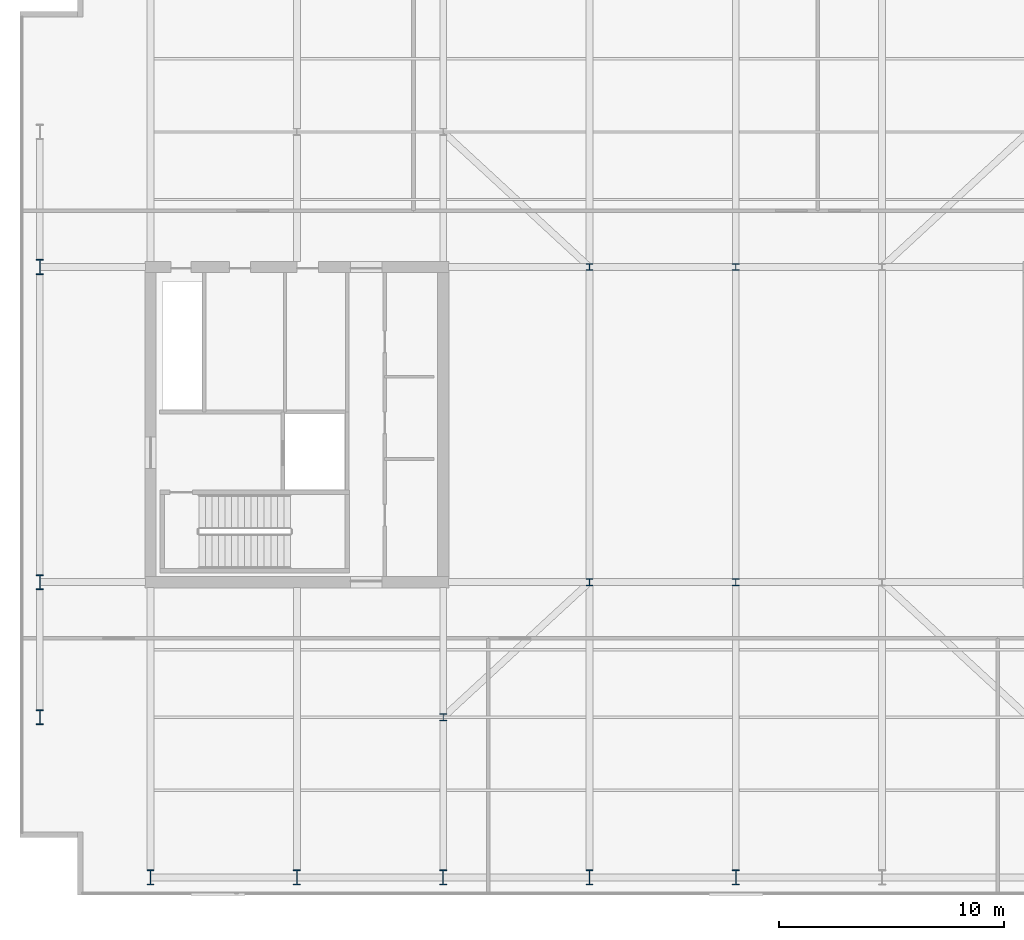
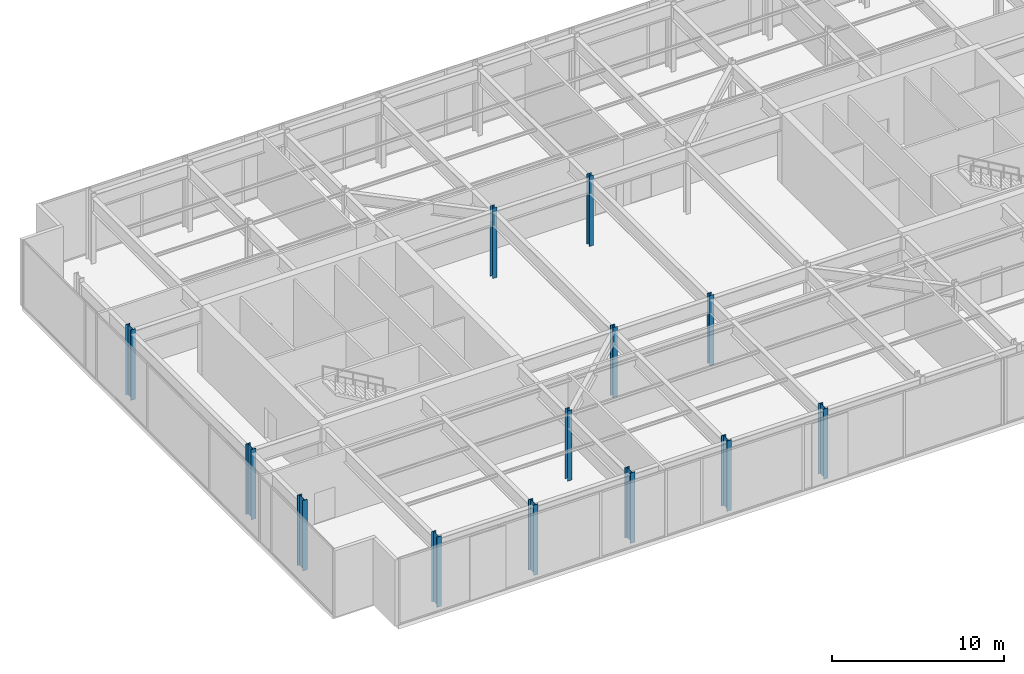
# One storey, part 1 of 23: 13 columns.
"""IFC4 building model written with IfcOpenShell, lengths in metres."""

from ifc_helpers import new_model, si_unit, direction, frame, origin, origin_2d, place, context, subcontext, project, spatial, i_section, extrude, material, material_profile, profile_set, type_object, element, save


model = new_model("IFC4")

# Units and contexts
model_context = context("Model", 3, precision=1e-05, world=origin(), true_north=direction((0.0, 1.0)))
body_context = subcontext(model_context, "Body", "Model", "MODEL_VIEW")
ifc_project = project(units=[si_unit("LENGTHUNIT", "METRE"), si_unit("AREAUNIT", "SQUARE_METRE"), si_unit("VOLUMEUNIT", "CUBIC_METRE"), si_unit("PLANEANGLEUNIT", "RADIAN"), si_unit("MASSUNIT", "GRAM", prefix="KILO")], contexts=[model_context])

# Site, building, storey
site_placement = place(None, origin())
site = spatial("IfcSite", under=ifc_project, at=site_placement, CompositionType="ELEMENT")
building_placement = place(site_placement, origin())
building = spatial("IfcBuilding", under=site, at=building_placement, Name="Putna Gate Headquarters", CompositionType="ELEMENT")
storey_placement = place(building_placement, frame((0.0, 0.0, 310.39990234375)))
storey = spatial("IfcBuildingStorey", under=building, at=storey_placement, Name="L78", CompositionType="ELEMENT", Elevation=310.39990234375)

# Columns
ifc_material = material(Name="Steel S460M", Category="steel")
ifc_material_profile_1 = material_profile(ifc_material, i_section(OverallWidth=0.300048828125, OverallDepth=0.300048828125, WebThickness=0.010986328125, FlangeThickness=0.01904296875, at=origin_2d()), Name="Steel S460M")
ifc_profile_set_1 = profile_set([ifc_material_profile_1], Name="Steel S460M")
column_type_1 = type_object("IfcColumnType", Name="COL-STL-HEB300-CRN", PredefinedType="COLUMN", material=ifc_profile_set_1)
for number, where, z_axis, x_axis, name in (
    (1, (32.5, 19.0, 0.0), (0.0, 0.0, 1.0), (1.0, 0.0, 0.0), "L78 Column CAI-S32"),
    (2, (32.5, 33.0, 0.0), (0.0, 0.0, 1.0), (1.0, 0.0, 0.0), "L78 Column CAI-N32"),
    (3, (39.0, 19.0, 0.0), (0.0, 0.0, 1.0), (1.0, 0.0, 0.0), "L78 Column CAI-S39"),
    (4, (39.0, 33.0, 0.0), (0.0, 0.0, 1.0), (1.0, 0.0, 0.0), "L78 Column CAI-N39"),
    (5, (26.0, 13.0, 0.0), (0.0, 0.0, 1.0), (1.0, 0.0, 0.0), "L78 Column CAP-WS"),
):
    element("IfcColumn", number, at=place(storey_placement, frame(where, z_axis=z_axis, x_axis=x_axis)), inside=storey, type_object=column_type_1, Name=name, PredefinedType="COLUMN", context=body_context, shape_type="SweptSolid", body=[
        extrude(i_section(OverallWidth=0.300048828125, OverallDepth=0.300048828125, WebThickness=0.010986328125, FlangeThickness=0.01904296875, at=origin_2d()), origin(), (0.0, 0.0, 1.0), 5.0),
    ])
ifc_material_profile_2 = material_profile(ifc_material, i_section(OverallWidth=0.304931640625, OverallDepth=0.66796875, WebThickness=0.02099609375, FlangeThickness=0.0400390625, at=origin_2d()), Name="Steel S460M")
ifc_profile_set_2 = profile_set([ifc_material_profile_2], Name="Steel S460M")
column_type_2 = type_object("IfcColumnType", Name="COL-STL-HEM650-EXT", PredefinedType="COLUMN", material=ifc_profile_set_2)
for number, where, z_axis, x_axis, name in (
    (6, (13.0, 5.8798828125, 0.0), (0.0, 0.0, 1.0), (1.0, 0.0, 0.0), "L78 Column CP-S13"),
    (7, (19.5, 5.8798828125, 0.0), (0.0, 0.0, 1.0), (1.0, 0.0, 0.0), "L78 Column CP-S19"),
    (8, (26.0, 5.8798828125, 0.0), (0.0, 0.0, 1.0), (1.0, 0.0, 0.0), "L78 Column CP-S26"),
    (9, (32.5, 5.8798828125, 0.0), (0.0, 0.0, 1.0), (1.0, 0.0, 0.0), "L78 Column CP-S32"),
    (10, (39.0, 5.8798828125, 0.0), (0.0, 0.0, 1.0), (1.0, 0.0, 0.0), "L78 Column CP-S39"),
    (11, (8.080078125, 13.0, 0.0), (0.0, 0.0, 1.0), (1.0, 0.0, 0.0), "L78 Column CP-W13"),
    (12, (8.080078125, 19.0, 0.0), (0.0, 0.0, 1.0), (1.0, 0.0, 0.0), "L78 Column CP-W19"),
    (13, (8.080078125, 33.0, 0.0), (0.0, 0.0, 1.0), (1.0, 0.0, 0.0), "L78 Column CP-W33"),
):
    element("IfcColumn", number, at=place(storey_placement, frame(where, z_axis=z_axis, x_axis=x_axis)), inside=storey, type_object=column_type_2, Name=name, PredefinedType="COLUMN", context=body_context, shape_type="SweptSolid", body=[
        extrude(i_section(OverallWidth=0.304931640625, OverallDepth=0.66796875, WebThickness=0.02099609375, FlangeThickness=0.0400390625, at=origin_2d()), origin(), (0.0, 0.0, 1.0), 5.0),
    ])

save(model, "model.ifc")
